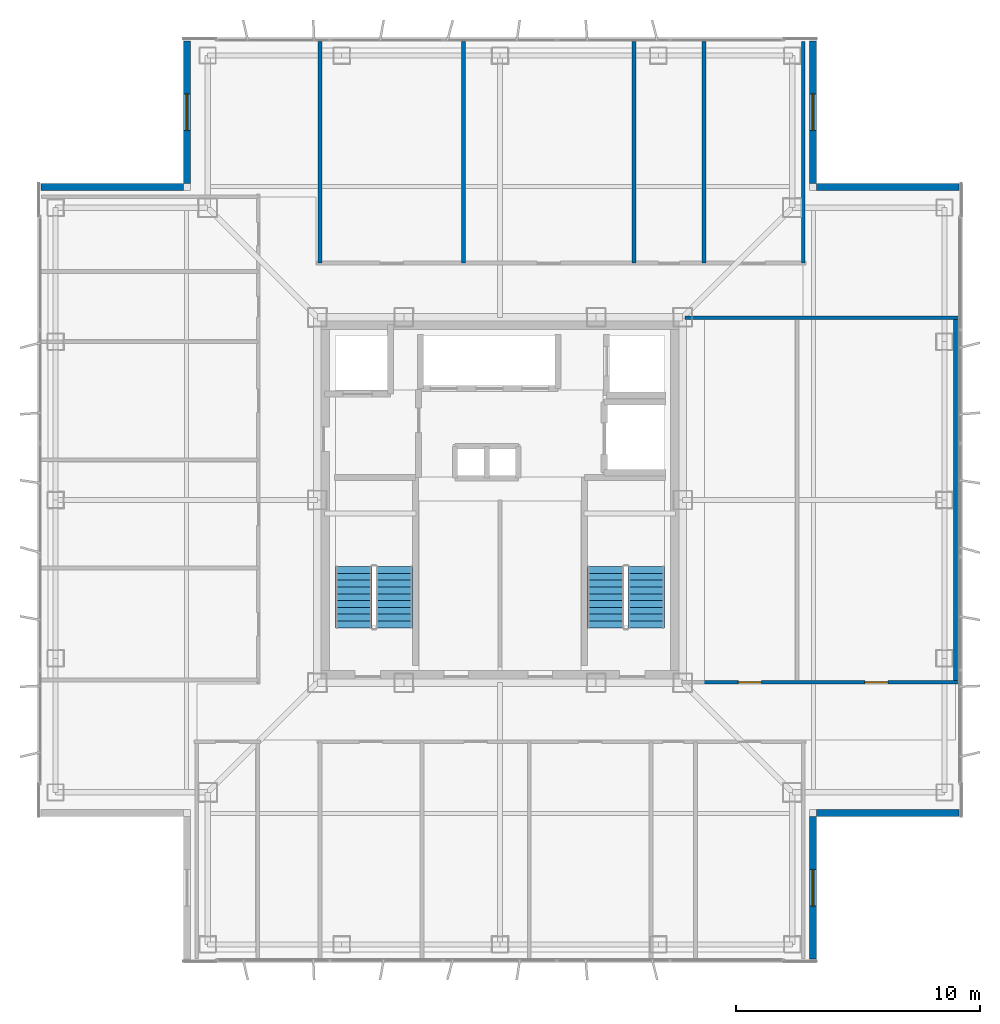
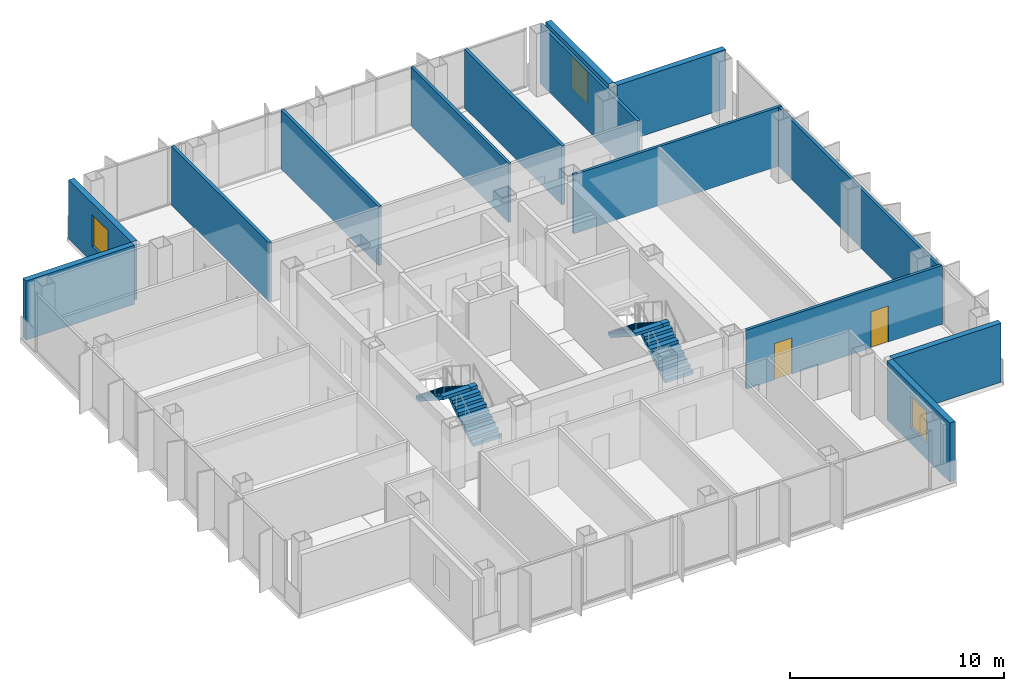
# One storey, part 9 of 15: 14 walls, 4 stair flights, 3 windows, 2 doors, 5 openings, 2 elements without a shape of their own.
"""IFC4 building model written with IfcOpenShell, lengths in metres."""

from ifc_helpers import new_model, si_unit, direction, frame, frame_2d, origin, place, context, subcontext, project, spatial, polyline, rectangle, outline, extrude, material, layer, layer_set, type_object, element, fill, aggregate, save


model = new_model("IFC4")

# Units and contexts
model_context = context("Model", 3, precision=1e-05, world=origin(), true_north=direction((0.0, 1.0)))
body_context = subcontext(model_context, "Body", "Model", "MODEL_VIEW")
ifc_project = project(units=[si_unit("LENGTHUNIT", "METRE"), si_unit("AREAUNIT", "SQUARE_METRE"), si_unit("VOLUMEUNIT", "CUBIC_METRE"), si_unit("PLANEANGLEUNIT", "RADIAN"), si_unit("MASSUNIT", "GRAM", prefix="KILO")], contexts=[model_context])

# Site, building, storey
site_placement = place(None, origin())
site = spatial("IfcSite", under=ifc_project, at=site_placement, CompositionType="ELEMENT")
building_placement = place(site_placement, origin())
building = spatial("IfcBuilding", under=site, at=building_placement, Name="Trevonay Congress Spire", CompositionType="ELEMENT")
storey_placement = place(building_placement, frame((0.0, 0.0, 239.60009765625)))
storey = spatial("IfcBuildingStorey", under=building, at=storey_placement, Name="L62", CompositionType="ELEMENT", Elevation=239.60009765625)

# Wall, openings, doors
ifc_material_1 = material(Name="Concrete C40/50", Category="concrete")
ifc_layer_1 = layer(ifc_material_1, 0.14990234375, Name="Concrete C40/50")
ifc_layer_set_1 = layer_set([ifc_layer_1], Name="Concrete C40/50")
wall_type_1 = type_object("IfcWallType", Name="WAL-CORR-150", PredefinedType="PARTITIONING", material=ifc_layer_set_1)
wall_1_placement = place(storey_placement, frame((8.280029296875, -7.47998046875, 0.0), z_axis=(0.0, 0.0, 1.0), x_axis=(1.0, 0.0, 0.0)))
wall_1 = element("IfcWall", 1, at=wall_1_placement, inside=storey, type_object=wall_type_1, Name="L62 interior wall WP-L62E-COR", PredefinedType="PARTITIONING", context=body_context, shape_type="SweptSolid", body=[
    extrude(rectangle(XDim=10.5400390625, YDim=0.14990234375, at=frame_2d((5.27001953125, 0.0))), origin(), (0.0, 0.0, 1.0), 3.35986328125),
])
opening_1_placement = place(wall_1_placement, frame((1.5048828125, 0.0, 0.0)))
opening_1 = element("IfcOpeningElement", 2, at=opening_1_placement, cuts=wall_1, Name="Opening D07", PredefinedType="OPENING", context=body_context, shape_type="SweptSolid", body=[
    extrude(rectangle(XDim=0.949951171875, YDim=2.06005859375, at=frame_2d((0.47509765625, 1.030029296875))), frame((0.0, 0.0849609375, 0.0), z_axis=(0.0, -1.0, 0.0), x_axis=(1.0, 0.0, 0.0)), (0.0, 0.0, 1.0), 0.169921875),
])
opening_2_placement = place(wall_1_placement, frame((6.695068359375, 0.0, 0.0)))
opening_2 = element("IfcOpeningElement", 3, at=opening_2_placement, cuts=wall_1, Name="Opening D07", PredefinedType="OPENING", context=body_context, shape_type="SweptSolid", body=[
    extrude(rectangle(XDim=0.949951171875, YDim=2.06005859375, at=frame_2d((0.47509765625, 1.030029296875))), frame((0.0, 0.0849609375, 0.0), z_axis=(0.0, -1.0, 0.0), x_axis=(1.0, 0.0, 0.0)), (0.0, 0.0, 1.0), 0.169921875),
])
ifc_material_2 = material(Name="Pale Anodised Aluminium EN AW-6063-T6", Category="aluminium")
door_type = type_object("IfcDoorType", Name="DOR-OFFICE-95", OperationType="NOTDEFINED", PredefinedType="DOOR", material=ifc_material_2)
door_1_placement = place(opening_1_placement, origin())
door_1 = element("IfcDoor", 4, at=door_1_placement, inside=storey, type_object=door_type, Name="L62 Chancery Tea Pantry Door", OperationType="SINGLE_SWING_RIGHT", OverallHeight=2.06005859375, OverallWidth=0.949951171875, PredefinedType="DOOR", context=body_context, shape_type="SweptSolid", body=[
    extrude(rectangle(XDim=0.949951171875, YDim=2.06005859375, at=frame_2d((0.47509765625, 1.030029296875))), frame((0.0, 0.02490234375, 0.0), z_axis=(0.0, -1.0, 0.0), x_axis=(1.0, 0.0, 0.0)), (0.0, 0.0, 1.0), 0.050048828125),
])
fill(opening_1, door_1)
door_2_placement = place(opening_2_placement, origin())
door_2 = element("IfcDoor", 5, at=door_2_placement, inside=storey, type_object=door_type, Name="L62 Diplomatic Pouch Store Door", OperationType="SINGLE_SWING_LEFT", OverallHeight=2.06005859375, OverallWidth=0.949951171875, PredefinedType="DOOR", context=body_context, shape_type="SweptSolid", body=[
    extrude(rectangle(XDim=0.949951171875, YDim=2.06005859375, at=frame_2d((0.47509765625, 1.030029296875))), frame((0.0, 0.02490234375, 0.0), z_axis=(0.0, -1.0, 0.0), x_axis=(1.0, 0.0, 0.0)), (0.0, 0.0, 1.0), 0.050048828125),
])
fill(opening_2, door_2)

# Wall, opening, window
ifc_material_3 = material(Name="Precast concrete C40/50", Category="concrete")
ifc_layer_2 = layer(ifc_material_3, 0.300048828125, Name="Precast concrete C40/50")
ifc_layer_set_2 = layer_set([ifc_layer_2], Name="Precast concrete C40/50")
wall_type_2 = type_object("IfcWallType", Name="WAL-EXT-PRECAST-300", PredefinedType="SOLIDWALL", material=ifc_layer_set_2)
wall_2_placement = place(storey_placement, frame((12.85009765625, -18.85009765625, 0.0), z_axis=(0.0, 0.0, 1.0), x_axis=(0.0, 1.0, 0.0)))
wall_2 = element("IfcWall", 6, at=wall_2_placement, inside=storey, type_object=wall_type_2, Name="L62 SE re-entrant notch exterior wall 1", PredefinedType="SOLIDWALL", context=body_context, shape_type="SweptSolid", body=[
    extrude(rectangle(XDim=5.85009765625, YDim=0.300048828125, at=frame_2d((2.925048828125, 0.0))), origin(), (0.0, 0.0, 1.0), 3.35986328125),
])
opening_3_placement = place(wall_2_placement, frame((2.175048828125, 0.0, 0.89990234375)))
opening_3 = element("IfcOpeningElement", 7, at=opening_3_placement, cuts=wall_2, Name="Opening WN03", PredefinedType="OPENING", context=body_context, shape_type="SweptSolid", body=[
    extrude(rectangle(XDim=1.5, YDim=1.800048828125, at=frame_2d((0.75, 0.89990234375))), frame((0.0, 0.16015625, 0.0), z_axis=(0.0, -1.0, 0.0), x_axis=(1.0, 0.0, 0.0)), (0.0, 0.0, 1.0), 0.320068359375),
])
ifc_material_4 = material(Name="Insulated Low-E Vision Glass IGU", Category="glass")
window_type = type_object("IfcWindowType", Name="WIN-NOTCH-150X180", PartitioningType="SINGLE_PANEL", PredefinedType="WINDOW", material=ifc_material_4)
window_1_placement = place(opening_3_placement, origin())
window_1 = element("IfcWindow", 8, at=window_1_placement, inside=storey, type_object=window_type, Name="L62 SE corner notch window", OverallHeight=1.800048828125, OverallWidth=1.5, PartitioningType="SINGLE_PANEL", PredefinedType="WINDOW", context=body_context, shape_type="SweptSolid", body=[
    extrude(rectangle(XDim=1.5, YDim=1.800048828125, at=frame_2d((0.75, 0.89990234375))), frame((0.0, 0.030029296875, 0.0), z_axis=(0.0, -1.0, 0.0), x_axis=(1.0, 0.0, 0.0)), (0.0, 0.0, 1.0), 0.06005859375),
])
fill(opening_3, window_1)

# Wall
wall_3_placement = place(storey_placement, frame((18.85009765625, -12.85009765625, 0.0), z_axis=(0.0, 0.0, 1.0), x_axis=(-1.0, 0.0, 0.0)))
element("IfcWall", 9, at=wall_3_placement, inside=storey, type_object=wall_type_2, Name="L62 SE re-entrant notch exterior wall 2", PredefinedType="SOLIDWALL", context=body_context, shape_type="SweptSolid", body=[
    extrude(rectangle(XDim=5.85009765625, YDim=0.300048828125, at=frame_2d((2.925048828125, 0.0))), origin(), (0.0, 0.0, 1.0), 3.35986328125),
])

# Wall, opening, window
wall_4_placement = place(storey_placement, frame((12.85009765625, 18.85009765625, 0.0), z_axis=(0.0, 0.0, 1.0), x_axis=(0.0, -1.0, 0.0)))
wall_4 = element("IfcWall", 10, at=wall_4_placement, inside=storey, type_object=wall_type_2, Name="L62 NE re-entrant notch exterior wall 1", PredefinedType="SOLIDWALL", context=body_context, shape_type="SweptSolid", body=[
    extrude(rectangle(XDim=5.85009765625, YDim=0.300048828125, at=frame_2d((2.925048828125, 0.0))), origin(), (0.0, 0.0, 1.0), 3.35986328125),
])
opening_4_placement = place(wall_4_placement, frame((2.175048828125, 0.0, 0.89990234375)))
opening_4 = element("IfcOpeningElement", 11, at=opening_4_placement, cuts=wall_4, Name="Opening WN03", PredefinedType="OPENING", context=body_context, shape_type="SweptSolid", body=[
    extrude(rectangle(XDim=1.5, YDim=1.800048828125, at=frame_2d((0.75, 0.89990234375))), frame((0.0, 0.16015625, 0.0), z_axis=(0.0, -1.0, 0.0), x_axis=(1.0, 0.0, 0.0)), (0.0, 0.0, 1.0), 0.320068359375),
])
window_2_placement = place(opening_4_placement, origin())
window_2 = element("IfcWindow", 12, at=window_2_placement, inside=storey, type_object=window_type, Name="L62 NE corner notch window", OverallHeight=1.800048828125, OverallWidth=1.5, PartitioningType="SINGLE_PANEL", PredefinedType="WINDOW", context=body_context, shape_type="SweptSolid", body=[
    extrude(rectangle(XDim=1.5, YDim=1.800048828125, at=frame_2d((0.75, 0.89990234375))), frame((0.0, 0.030029296875, 0.0), z_axis=(0.0, -1.0, 0.0), x_axis=(1.0, 0.0, 0.0)), (0.0, 0.0, 1.0), 0.06005859375),
])
fill(opening_4, window_2)

# Wall
wall_5_placement = place(storey_placement, frame((18.85009765625, 12.85009765625, 0.0), z_axis=(0.0, 0.0, 1.0), x_axis=(-1.0, 0.0, 0.0)))
element("IfcWall", 13, at=wall_5_placement, inside=storey, type_object=wall_type_2, Name="L62 NE re-entrant notch exterior wall 2", PredefinedType="SOLIDWALL", context=body_context, shape_type="SweptSolid", body=[
    extrude(rectangle(XDim=5.85009765625, YDim=0.300048828125, at=frame_2d((2.925048828125, 0.0))), origin(), (0.0, 0.0, 1.0), 3.35986328125),
])

# Wall, opening, window
wall_6_placement = place(storey_placement, frame((-12.85009765625, 18.85009765625, 0.0), z_axis=(0.0, 0.0, 1.0), x_axis=(0.0, -1.0, 0.0)))
wall_6 = element("IfcWall", 14, at=wall_6_placement, inside=storey, type_object=wall_type_2, Name="L62 NW re-entrant notch exterior wall 1", PredefinedType="SOLIDWALL", context=body_context, shape_type="SweptSolid", body=[
    extrude(rectangle(XDim=5.85009765625, YDim=0.300048828125, at=frame_2d((2.925048828125, 0.0))), origin(), (0.0, 0.0, 1.0), 3.35986328125),
])
opening_5_placement = place(wall_6_placement, frame((2.175048828125, 0.0, 0.89990234375)))
opening_5 = element("IfcOpeningElement", 15, at=opening_5_placement, cuts=wall_6, Name="Opening WN03", PredefinedType="OPENING", context=body_context, shape_type="SweptSolid", body=[
    extrude(rectangle(XDim=1.5, YDim=1.800048828125, at=frame_2d((0.75, 0.89990234375))), frame((0.0, 0.16015625, 0.0), z_axis=(0.0, -1.0, 0.0), x_axis=(1.0, 0.0, 0.0)), (0.0, 0.0, 1.0), 0.320068359375),
])
window_3_placement = place(opening_5_placement, origin())
window_3 = element("IfcWindow", 16, at=window_3_placement, inside=storey, type_object=window_type, Name="L62 NW corner notch window", OverallHeight=1.800048828125, OverallWidth=1.5, PartitioningType="SINGLE_PANEL", PredefinedType="WINDOW", context=body_context, shape_type="SweptSolid", body=[
    extrude(rectangle(XDim=1.5, YDim=1.800048828125, at=frame_2d((0.75, 0.89990234375))), frame((0.0, 0.030029296875, 0.0), z_axis=(0.0, -1.0, 0.0), x_axis=(1.0, 0.0, 0.0)), (0.0, 0.0, 1.0), 0.06005859375),
])
fill(opening_5, window_3)

# Walls
wall_7_placement = place(storey_placement, frame((-18.85009765625, 12.85009765625, 0.0), z_axis=(0.0, 0.0, 1.0), x_axis=(1.0, 0.0, 0.0)))
element("IfcWall", 17, at=wall_7_placement, inside=storey, type_object=wall_type_2, Name="L62 NW re-entrant notch exterior wall 2", PredefinedType="SOLIDWALL", context=body_context, shape_type="SweptSolid", body=[
    extrude(rectangle(XDim=5.85009765625, YDim=0.300048828125, at=frame_2d((2.925048828125, 0.0))), origin(), (0.0, 0.0, 1.0), 3.35986328125),
])
ifc_layer_3 = layer(ifc_material_1, 0.14990234375, Name="Concrete C40/50")
ifc_layer_set_3 = layer_set([ifc_layer_3], Name="Concrete C40/50")
wall_type_3 = type_object("IfcWallType", Name="WAL-PART-150", PredefinedType="PARTITIONING", material=ifc_layer_set_3)
for number, where, z_axis, x_axis, name in (
    (18, (5.5, 9.72998046875, 0.0), (0.0, 0.0, 1.0), (0.0, 1.0, 0.0), "L62 interior wall WP-L62N-DIV3"),
    (19, (12.449951171875, 9.72998046875, 0.0), (0.0, 0.0, 1.0), (0.0, 1.0, 0.0), "L62 interior wall WP-L62N-DIV4"),
):
    element("IfcWall", number, at=place(storey_placement, frame(where, z_axis=z_axis, x_axis=x_axis)), inside=storey, type_object=wall_type_3, Name=name, PredefinedType="PARTITIONING", context=body_context, shape_type="SweptSolid", body=[
        extrude(rectangle(XDim=9.090087890625, YDim=0.14990234375, at=frame_2d((4.544921875, 0.0))), origin(), (0.0, 0.0, 1.0), 3.35986328125),
    ])
wall_8_placement = place(storey_placement, frame((18.699951171875, -7.47998046875, 0.0), z_axis=(0.0, 0.0, 1.0), x_axis=(0.0, 1.0, 0.0)))
element("IfcWall", 20, at=wall_8_placement, inside=storey, type_object=wall_type_3, Name="L62 interior wall WP-L62E-DIV2", PredefinedType="PARTITIONING", context=body_context, shape_type="SweptSolid", body=[
    extrude(rectangle(XDim=14.89990234375, YDim=0.14990234375, at=frame_2d((7.449951171875, 0.0))), origin(), (0.0, 0.0, 1.0), 3.35986328125),
])
wall_9_placement = place(storey_placement, frame((7.60009765625, 7.47998046875, 0.0), z_axis=(0.0, 0.0, 1.0), x_axis=(1.0, 0.0, 0.0)))
element("IfcWall", 21, at=wall_9_placement, inside=storey, type_object=wall_type_3, Name="L62 interior wall WP-L62E-NCLS", PredefinedType="PARTITIONING", context=body_context, shape_type="SweptSolid", body=[
    extrude(rectangle(XDim=11.219970703125, YDim=0.14990234375, at=frame_2d((5.60986328125, 0.0))), origin(), (0.0, 0.0, 1.0), 3.35986328125),
])
ifc_layer_4 = layer(ifc_material_1, 0.1650390625, Name="Concrete C40/50")
ifc_layer_set_4 = layer_set([ifc_layer_4], Name="Concrete C40/50")
wall_type_4 = type_object("IfcWallType", Name="WAL-WET-165", PredefinedType="PLUMBINGWALL", material=ifc_layer_set_4)
for number, where, z_axis, x_axis, name in (
    (22, (8.3798828125, 9.72998046875, 0.0), (0.0, 0.0, 1.0), (0.0, 1.0, 0.0), "L62 interior wall WP-L62N-WCS3"),
    (23, (-7.39990234375, 9.72998046875, 0.0), (0.0, 0.0, 1.0), (0.0, 1.0, 0.0), "L62 interior wall WP-L62N-DIV1"),
    (24, (-1.5, 9.72998046875, 0.0), (0.0, 0.0, 1.0), (0.0, 1.0, 0.0), "L62 interior wall WP-L62N-DIV2"),
):
    element("IfcWall", number, at=place(storey_placement, frame(where, z_axis=z_axis, x_axis=x_axis)), inside=storey, type_object=wall_type_4, Name=name, PredefinedType="PLUMBINGWALL", context=body_context, shape_type="SweptSolid", body=[
        extrude(rectangle(XDim=9.090087890625, YDim=0.1650390625, at=frame_2d((4.544921875, 0.0))), origin(), (0.0, 0.0, 1.0), 3.35986328125),
    ])

# Stair, stair flights
stair_type_1 = type_object("IfcStairType", Name="STR-ST-1", PredefinedType="HALF_TURN_STAIR", material=ifc_material_1)
stair_1_placement = place(storey_placement, origin())
stair_1 = element("IfcStair", 25, at=stair_1_placement, inside=storey, type_object=stair_type_1, Name="L62 Protected Exit Stair ST-1", PredefinedType="HALF_TURN_STAIR")
stair_flight_type_1 = type_object("IfcStairFlightType", Name="SFL-ST-1", PredefinedType="STRAIGHT", material=ifc_material_1)
stair_flight_1_placement = place(storey_placement, frame((-4.35009765625, -5.25, 0.0), z_axis=(0.0, 0.0, 1.0), x_axis=(0.0, 1.0, 0.0)))
stair_flight_1 = element("IfcStairFlight", 26, at=stair_flight_1_placement, type_object=stair_flight_type_1, Name="ST-1 flight 1", NumberOfRisers=10, NumberOfTreads=9, PredefinedType="STRAIGHT", RiserHeight=0.18, TreadLength=0.28, context=body_context, shape_type="SweptSolid", body=[
    extrude(outline(polyline([(0.0, 0.0), (0.0, 0.179931640625), (0.280029296875, 0.179931640625), (0.280029296875, 0.360107421875), (0.56005859375, 0.360107421875), (0.56005859375, 0.5400390625), (0.840087890625, 0.5400390625), (0.840087890625, 0.719970703125), (1.1201171875, 0.719970703125), (1.1201171875, 0.89990234375), (1.39990234375, 0.89990234375), (1.39990234375, 1.080078125), (1.679931640625, 1.080078125), (1.679931640625, 1.260009765625), (1.9599609375, 1.260009765625), (1.9599609375, 1.43994140625), (2.239990234375, 1.43994140625), (2.239990234375, 1.6201171875), (2.52001953125, 1.6201171875), (2.52001953125, 1.800048828125), (2.52001953125, 1.44189453125), (0.277099609375, 0.0), (0.0, 0.0)])), frame((0.0, 0.75, 0.0), z_axis=(0.0, -1.0, 0.0), x_axis=(1.0, 0.0, 0.0)), (0.0, 0.0, 1.0), 1.5),
])
stair_flight_2_placement = place(storey_placement, frame((-6.0, -2.72998046875, 1.7998046875), z_axis=(0.0, 0.0, 1.0), x_axis=(0.0, -1.0, 0.0)))
stair_flight_2 = element("IfcStairFlight", 27, at=stair_flight_2_placement, type_object=stair_flight_type_1, Name="ST-1 flight 2", NumberOfRisers=10, NumberOfTreads=9, PredefinedType="STRAIGHT", RiserHeight=0.18, TreadLength=0.28, context=body_context, shape_type="SweptSolid", body=[
    extrude(outline(polyline([(0.0, 0.0), (0.0, 0.179931640625), (0.280029296875, 0.179931640625), (0.280029296875, 0.360107421875), (0.56005859375, 0.360107421875), (0.56005859375, 0.5400390625), (0.840087890625, 0.5400390625), (0.840087890625, 0.719970703125), (1.1201171875, 0.719970703125), (1.1201171875, 0.89990234375), (1.39990234375, 0.89990234375), (1.39990234375, 1.080078125), (1.679931640625, 1.080078125), (1.679931640625, 1.260009765625), (1.9599609375, 1.260009765625), (1.9599609375, 1.43994140625), (2.239990234375, 1.43994140625), (2.239990234375, 1.6201171875), (2.52001953125, 1.6201171875), (2.52001953125, 1.800048828125), (2.52001953125, 1.44189453125), (0.277099609375, 0.0), (0.0, 0.0)])), frame((0.0, 0.75, 0.0), z_axis=(0.0, -1.0, 0.0), x_axis=(1.0, 0.0, 0.0)), (0.0, 0.0, 1.0), 1.5),
])
aggregate(stair_1, [stair_flight_1, stair_flight_2])

stair_type_2 = type_object("IfcStairType", Name="STR-ST-2", PredefinedType="HALF_TURN_STAIR", material=ifc_material_1)
stair_2_placement = place(storey_placement, origin())
stair_2 = element("IfcStair", 28, at=stair_2_placement, inside=storey, type_object=stair_type_2, Name="L62 Protected Exit Stair ST-2", PredefinedType="HALF_TURN_STAIR")
stair_flight_type_2 = type_object("IfcStairFlightType", Name="SFL-ST-2", PredefinedType="STRAIGHT", material=ifc_material_1)
stair_flight_3_placement = place(storey_placement, frame((6.0, -5.25, 0.0), z_axis=(0.0, 0.0, 1.0), x_axis=(0.0, 1.0, 0.0)))
stair_flight_3 = element("IfcStairFlight", 29, at=stair_flight_3_placement, type_object=stair_flight_type_2, Name="ST-2 flight 1", NumberOfRisers=10, NumberOfTreads=9, PredefinedType="STRAIGHT", RiserHeight=0.18, TreadLength=0.28, context=body_context, shape_type="SweptSolid", body=[
    extrude(outline(polyline([(0.0, 0.0), (0.0, 0.179931640625), (0.280029296875, 0.179931640625), (0.280029296875, 0.360107421875), (0.56005859375, 0.360107421875), (0.56005859375, 0.5400390625), (0.840087890625, 0.5400390625), (0.840087890625, 0.719970703125), (1.1201171875, 0.719970703125), (1.1201171875, 0.89990234375), (1.39990234375, 0.89990234375), (1.39990234375, 1.080078125), (1.679931640625, 1.080078125), (1.679931640625, 1.260009765625), (1.9599609375, 1.260009765625), (1.9599609375, 1.43994140625), (2.239990234375, 1.43994140625), (2.239990234375, 1.6201171875), (2.52001953125, 1.6201171875), (2.52001953125, 1.800048828125), (2.52001953125, 1.44189453125), (0.277099609375, 0.0), (0.0, 0.0)])), frame((0.0, 0.75, 0.0), z_axis=(0.0, -1.0, 0.0), x_axis=(1.0, 0.0, 0.0)), (0.0, 0.0, 1.0), 1.5),
])
stair_flight_4_placement = place(storey_placement, frame((4.35009765625, -2.72998046875, 1.7998046875), z_axis=(0.0, 0.0, 1.0), x_axis=(0.0, -1.0, 0.0)))
stair_flight_4 = element("IfcStairFlight", 30, at=stair_flight_4_placement, type_object=stair_flight_type_2, Name="ST-2 flight 2", NumberOfRisers=10, NumberOfTreads=9, PredefinedType="STRAIGHT", RiserHeight=0.18, TreadLength=0.28, context=body_context, shape_type="SweptSolid", body=[
    extrude(outline(polyline([(0.0, 0.0), (0.0, 0.179931640625), (0.280029296875, 0.179931640625), (0.280029296875, 0.360107421875), (0.56005859375, 0.360107421875), (0.56005859375, 0.5400390625), (0.840087890625, 0.5400390625), (0.840087890625, 0.719970703125), (1.1201171875, 0.719970703125), (1.1201171875, 0.89990234375), (1.39990234375, 0.89990234375), (1.39990234375, 1.080078125), (1.679931640625, 1.080078125), (1.679931640625, 1.260009765625), (1.9599609375, 1.260009765625), (1.9599609375, 1.43994140625), (2.239990234375, 1.43994140625), (2.239990234375, 1.6201171875), (2.52001953125, 1.6201171875), (2.52001953125, 1.800048828125), (2.52001953125, 1.44189453125), (0.277099609375, 0.0), (0.0, 0.0)])), frame((0.0, 0.75, 0.0), z_axis=(0.0, -1.0, 0.0), x_axis=(1.0, 0.0, 0.0)), (0.0, 0.0, 1.0), 1.5),
])
aggregate(stair_2, [stair_flight_3, stair_flight_4])

save(model, "model.ifc")
